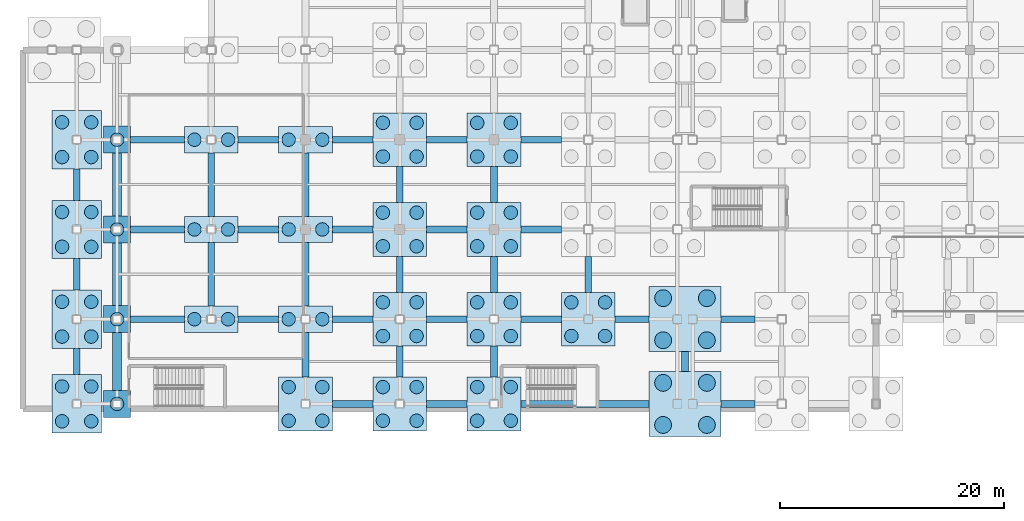
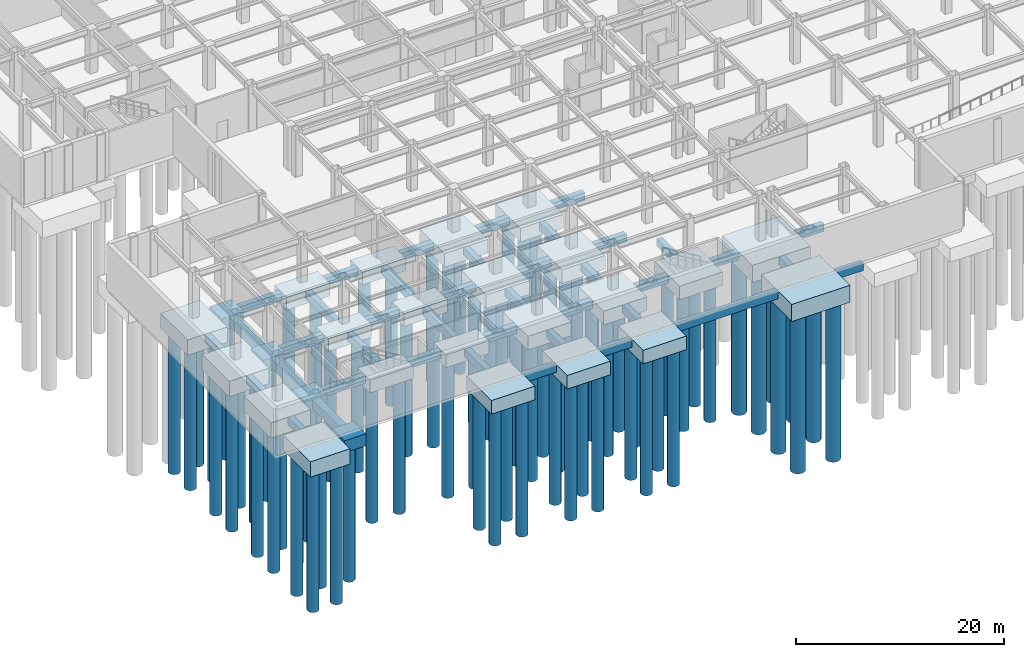
# One storey, part 1 of 55: 80 piles, 66 footings.
"""IFC4 building model written with IfcOpenShell, lengths in metres."""

from ifc_helpers import new_model, si_unit, direction, frame, origin, origin_2d, place, context, subcontext, project, spatial, rectangle, circle, extrude, material, layer, layer_set, material_profile, profile_set, type_object, element, save


model = new_model("IFC4")

# Units and contexts
model_context = context("Model", 3, precision=1e-05, world=origin(), true_north=direction((0.0, 1.0)))
body_context = subcontext(model_context, "Body", "Model", "MODEL_VIEW")
ifc_project = project(units=[si_unit("LENGTHUNIT", "METRE"), si_unit("AREAUNIT", "SQUARE_METRE"), si_unit("VOLUMEUNIT", "CUBIC_METRE"), si_unit("PLANEANGLEUNIT", "RADIAN"), si_unit("MASSUNIT", "GRAM", prefix="KILO")], contexts=[model_context])

# Site, building, storey
site_placement = place(None, origin())
site = spatial("IfcSite", under=ifc_project, at=site_placement, CompositionType="ELEMENT")
building_placement = place(site_placement, origin())
building = spatial("IfcBuilding", under=site, at=building_placement, Name="Kazehara Bluff Congress Hotel", CompositionType="ELEMENT")
storey_placement = place(building_placement, frame((0.0, 0.0, -5.39990234375)))
storey = spatial("IfcBuildingStorey", under=building, at=storey_placement, Name="B1", CompositionType="ELEMENT", Elevation=-5.39990234375)

# Footings
ifc_material_1 = material(Name="Concrete C36/45", Category="concrete")
ifc_material_profile_1 = material_profile(ifc_material_1, rectangle(XDim=0.60009765625, YDim=0.89990234375, at=origin_2d()))
ifc_profile_set_1 = profile_set([ifc_material_profile_1], Name="Concrete C36/45")
footing_type_1 = type_object("IfcFootingType", Name="TP-FB-01", PredefinedType="FOOTING_BEAM", material=ifc_profile_set_1)
footing_1_placement = place(storey_placement, frame((27.60009765625, 0.449951171875, -0.9501953125), z_axis=(1.0, 0.0, 0.0), x_axis=(0.0, 1.0, 0.0)))
element("IfcFooting", 1, at=footing_1_placement, inside=storey, type_object=footing_type_1, Name="Foundation tie beam FB-01 1", PredefinedType="FOOTING_BEAM", context=body_context, shape_type="SweptSolid", body=[
    extrude(rectangle(XDim=0.60009765625, YDim=0.89990234375, at=origin_2d()), origin(), (0.0, 0.0, 1.0), 3.599853515625),
])
footing_2_placement = place(storey_placement, frame((36.0, 0.449951171875, -0.9501953125), z_axis=(1.0, 0.0, 0.0), x_axis=(0.0, 1.0, 0.0)))
element("IfcFooting", 2, at=footing_2_placement, inside=storey, type_object=footing_type_1, Name="Foundation tie beam FB-01 2", PredefinedType="FOOTING_BEAM", context=body_context, shape_type="SweptSolid", body=[
    extrude(rectangle(XDim=0.60009765625, YDim=0.89990234375, at=origin_2d()), origin(), (0.0, 0.0, 1.0), 3.60009765625),
])
footing_3_placement = place(storey_placement, frame((44.39990234375, 0.449951171875, -0.9501953125), z_axis=(1.0, 0.0, 0.0), x_axis=(0.0, 1.0, 0.0)))
element("IfcFooting", 3, at=footing_3_placement, inside=storey, type_object=footing_type_1, Name="Foundation tie beam FB-01 3", PredefinedType="FOOTING_BEAM", context=body_context, shape_type="SweptSolid", body=[
    extrude(rectangle(XDim=0.60009765625, YDim=0.89990234375, at=origin_2d()), origin(), (0.0, 0.0, 1.0), 11.400146484375),
])
footing_4_placement = place(storey_placement, frame((62.25, 0.449951171875, -0.9501953125), z_axis=(1.0, 0.0, 0.0), x_axis=(0.0, 1.0, 0.0)))
element("IfcFooting", 4, at=footing_4_placement, inside=storey, type_object=footing_type_1, Name="Foundation tie beam FB-01 4", PredefinedType="FOOTING_BEAM", context=body_context, shape_type="SweptSolid", body=[
    extrude(rectangle(XDim=0.60009765625, YDim=0.89990234375, at=origin_2d()), origin(), (0.0, 0.0, 1.0), 3.0),
])
footing_5_placement = place(storey_placement, frame((9.60009765625, 8.0, -0.9501953125), z_axis=(1.0, 0.0, 0.0), x_axis=(0.0, 1.0, 0.0)))
element("IfcFooting", 5, at=footing_5_placement, inside=storey, type_object=footing_type_1, Name="Foundation tie beam FB-01 9", PredefinedType="FOOTING_BEAM", context=body_context, shape_type="SweptSolid", body=[
    extrude(rectangle(XDim=0.60009765625, YDim=0.89990234375, at=origin_2d()), origin(), (0.0, 0.0, 1.0), 4.7998046875),
])
footing_6_placement = place(storey_placement, frame((19.199951171875, 8.0, -0.9501953125), z_axis=(1.0, 0.0, 0.0), x_axis=(0.0, 1.0, 0.0)))
element("IfcFooting", 6, at=footing_6_placement, inside=storey, type_object=footing_type_1, Name="Foundation tie beam FB-01 10", PredefinedType="FOOTING_BEAM", context=body_context, shape_type="SweptSolid", body=[
    extrude(rectangle(XDim=0.60009765625, YDim=0.89990234375, at=origin_2d()), origin(), (0.0, 0.0, 1.0), 3.60009765625),
])
footing_7_placement = place(storey_placement, frame((27.60009765625, 8.0, -0.9501953125), z_axis=(1.0, 0.0, 0.0), x_axis=(0.0, 1.0, 0.0)))
element("IfcFooting", 7, at=footing_7_placement, inside=storey, type_object=footing_type_1, Name="Foundation tie beam FB-01 11", PredefinedType="FOOTING_BEAM", context=body_context, shape_type="SweptSolid", body=[
    extrude(rectangle(XDim=0.60009765625, YDim=0.89990234375, at=origin_2d()), origin(), (0.0, 0.0, 1.0), 3.599853515625),
])
for number, where, z_axis, x_axis, name in (
    (8, (36.0, 8.0, -0.9501953125), (1.0, 0.0, 0.0), (0.0, 1.0, 0.0), "Foundation tie beam FB-01 12"),
    (9, (44.39990234375, 8.0, -0.9501953125), (1.0, 0.0, 0.0), (0.0, 1.0, 0.0), "Foundation tie beam FB-01 13"),
):
    element("IfcFooting", number, at=place(storey_placement, frame(where, z_axis=z_axis, x_axis=x_axis)), inside=storey, type_object=footing_type_1, Name=name, PredefinedType="FOOTING_BEAM", context=body_context, shape_type="SweptSolid", body=[
        extrude(rectangle(XDim=0.60009765625, YDim=0.89990234375, at=origin_2d()), origin(), (0.0, 0.0, 1.0), 3.60009765625),
    ])
for number, where, z_axis, x_axis, name in (
    (10, (52.800048828125, 8.0, -0.9501953125), (1.0, 0.0, 0.0), (0.0, 1.0, 0.0), "Foundation tie beam FB-01 14"),
    (11, (62.25, 8.0, -0.9501953125), (1.0, 0.0, 0.0), (0.0, 1.0, 0.0), "Foundation tie beam FB-01 15"),
):
    element("IfcFooting", number, at=place(storey_placement, frame(where, z_axis=z_axis, x_axis=x_axis)), inside=storey, type_object=footing_type_1, Name=name, PredefinedType="FOOTING_BEAM", context=body_context, shape_type="SweptSolid", body=[
        extrude(rectangle(XDim=0.60009765625, YDim=0.89990234375, at=origin_2d()), origin(), (0.0, 0.0, 1.0), 3.0),
    ])
footing_8_placement = place(storey_placement, frame((9.60009765625, 16.0, -0.9501953125), z_axis=(1.0, 0.0, 0.0), x_axis=(0.0, 1.0, 0.0)))
element("IfcFooting", 12, at=footing_8_placement, inside=storey, type_object=footing_type_1, Name="Foundation tie beam FB-01 28", PredefinedType="FOOTING_BEAM", context=body_context, shape_type="SweptSolid", body=[
    extrude(rectangle(XDim=0.60009765625, YDim=0.89990234375, at=origin_2d()), origin(), (0.0, 0.0, 1.0), 4.7998046875),
])
footing_9_placement = place(storey_placement, frame((19.199951171875, 16.0, -0.9501953125), z_axis=(1.0, 0.0, 0.0), x_axis=(0.0, 1.0, 0.0)))
element("IfcFooting", 13, at=footing_9_placement, inside=storey, type_object=footing_type_1, Name="Foundation tie beam FB-01 29", PredefinedType="FOOTING_BEAM", context=body_context, shape_type="SweptSolid", body=[
    extrude(rectangle(XDim=0.60009765625, YDim=0.89990234375, at=origin_2d()), origin(), (0.0, 0.0, 1.0), 3.60009765625),
])
footing_10_placement = place(storey_placement, frame((27.60009765625, 16.0, -0.9501953125), z_axis=(1.0, 0.0, 0.0), x_axis=(0.0, 1.0, 0.0)))
element("IfcFooting", 14, at=footing_10_placement, inside=storey, type_object=footing_type_1, Name="Foundation tie beam FB-01 30", PredefinedType="FOOTING_BEAM", context=body_context, shape_type="SweptSolid", body=[
    extrude(rectangle(XDim=0.60009765625, YDim=0.89990234375, at=origin_2d()), origin(), (0.0, 0.0, 1.0), 3.599853515625),
])
for number, where, z_axis, x_axis, name in (
    (15, (36.0, 16.0, -0.9501953125), (1.0, 0.0, 0.0), (0.0, 1.0, 0.0), "Foundation tie beam FB-01 31"),
    (16, (44.39990234375, 16.0, -0.9501953125), (1.0, 0.0, 0.0), (0.0, 1.0, 0.0), "Foundation tie beam FB-01 32"),
):
    element("IfcFooting", number, at=place(storey_placement, frame(where, z_axis=z_axis, x_axis=x_axis)), inside=storey, type_object=footing_type_1, Name=name, PredefinedType="FOOTING_BEAM", context=body_context, shape_type="SweptSolid", body=[
        extrude(rectangle(XDim=0.60009765625, YDim=0.89990234375, at=origin_2d()), origin(), (0.0, 0.0, 1.0), 3.60009765625),
    ])
footing_11_placement = place(storey_placement, frame((9.60009765625, 24.0, -0.9501953125), z_axis=(1.0, 0.0, 0.0), x_axis=(0.0, 1.0, 0.0)))
element("IfcFooting", 17, at=footing_11_placement, inside=storey, type_object=footing_type_1, Name="Foundation tie beam FB-01 45", PredefinedType="FOOTING_BEAM", context=body_context, shape_type="SweptSolid", body=[
    extrude(rectangle(XDim=0.60009765625, YDim=0.89990234375, at=origin_2d()), origin(), (0.0, 0.0, 1.0), 4.7998046875),
])
footing_12_placement = place(storey_placement, frame((19.199951171875, 24.0, -0.9501953125), z_axis=(1.0, 0.0, 0.0), x_axis=(0.0, 1.0, 0.0)))
element("IfcFooting", 18, at=footing_12_placement, inside=storey, type_object=footing_type_1, Name="Foundation tie beam FB-01 46", PredefinedType="FOOTING_BEAM", context=body_context, shape_type="SweptSolid", body=[
    extrude(rectangle(XDim=0.60009765625, YDim=0.89990234375, at=origin_2d()), origin(), (0.0, 0.0, 1.0), 3.60009765625),
])
footing_13_placement = place(storey_placement, frame((27.60009765625, 24.0, -0.9501953125), z_axis=(1.0, 0.0, 0.0), x_axis=(0.0, 1.0, 0.0)))
element("IfcFooting", 19, at=footing_13_placement, inside=storey, type_object=footing_type_1, Name="Foundation tie beam FB-01 47", PredefinedType="FOOTING_BEAM", context=body_context, shape_type="SweptSolid", body=[
    extrude(rectangle(XDim=0.60009765625, YDim=0.89990234375, at=origin_2d()), origin(), (0.0, 0.0, 1.0), 3.599853515625),
])
for number, where, z_axis, x_axis, name in (
    (20, (36.0, 24.0, -0.9501953125), (1.0, 0.0, 0.0), (0.0, 1.0, 0.0), "Foundation tie beam FB-01 48"),
    (21, (44.39990234375, 24.0, -0.9501953125), (1.0, 0.0, 0.0), (0.0, 1.0, 0.0), "Foundation tie beam FB-01 49"),
):
    element("IfcFooting", number, at=place(storey_placement, frame(where, z_axis=z_axis, x_axis=x_axis)), inside=storey, type_object=footing_type_1, Name=name, PredefinedType="FOOTING_BEAM", context=body_context, shape_type="SweptSolid", body=[
        extrude(rectangle(XDim=0.60009765625, YDim=0.89990234375, at=origin_2d()), origin(), (0.0, 0.0, 1.0), 3.60009765625),
    ])
footing_14_placement = place(storey_placement, frame((4.800048828125, 3.050048828125, -0.9501953125), z_axis=(0.0, 1.0, 0.0), x_axis=(-1.0, 0.0, 0.0)))
element("IfcFooting", 22, at=footing_14_placement, inside=storey, type_object=footing_type_1, Name="Foundation tie beam FB-01 249", PredefinedType="FOOTING_BEAM", context=body_context, shape_type="SweptSolid", body=[
    extrude(rectangle(XDim=0.60009765625, YDim=0.89990234375, at=origin_2d()), origin(), (0.0, 0.0, 1.0), 2.349853515625),
])
for number, where, z_axis, x_axis, name in (
    (23, (4.800048828125, 10.60009765625, -0.9501953125), (0.0, 1.0, 0.0), (-1.0, 0.0, 0.0), "Foundation tie beam FB-01 250"),
    (24, (4.800048828125, 18.60009765625, -0.9501953125), (0.0, 1.0, 0.0), (-1.0, 0.0, 0.0), "Foundation tie beam FB-01 251"),
):
    element("IfcFooting", number, at=place(storey_placement, frame(where, z_axis=z_axis, x_axis=x_axis)), inside=storey, type_object=footing_type_1, Name=name, PredefinedType="FOOTING_BEAM", context=body_context, shape_type="SweptSolid", body=[
        extrude(rectangle(XDim=0.60009765625, YDim=0.89990234375, at=origin_2d()), origin(), (0.0, 0.0, 1.0), 2.7998046875),
    ])
for number, where, z_axis, x_axis, name in (
    (25, (16.800048828125, 9.175048828125, -0.9501953125), (0.0, 1.0, 0.0), (-1.0, 0.0, 0.0), "Foundation tie beam FB-01 272"),
    (26, (16.800048828125, 17.175048828125, -0.9501953125), (0.0, 1.0, 0.0), (-1.0, 0.0, 0.0), "Foundation tie beam FB-01 273"),
):
    element("IfcFooting", number, at=place(storey_placement, frame(where, z_axis=z_axis, x_axis=x_axis)), inside=storey, type_object=footing_type_1, Name=name, PredefinedType="FOOTING_BEAM", context=body_context, shape_type="SweptSolid", body=[
        extrude(rectangle(XDim=0.60009765625, YDim=0.89990234375, at=origin_2d()), origin(), (0.0, 0.0, 1.0), 5.64990234375),
    ])
footing_15_placement = place(storey_placement, frame((25.199951171875, 2.85009765625, -0.9501953125), z_axis=(0.0, 1.0, 0.0), x_axis=(-1.0, 0.0, 0.0)))
element("IfcFooting", 27, at=footing_15_placement, inside=storey, type_object=footing_type_1, Name="Foundation tie beam FB-01 280", PredefinedType="FOOTING_BEAM", context=body_context, shape_type="SweptSolid", body=[
    extrude(rectangle(XDim=0.60009765625, YDim=0.89990234375, at=origin_2d()), origin(), (0.0, 0.0, 1.0), 3.974853515625),
])
for number, where, z_axis, x_axis, name in (
    (28, (25.199951171875, 9.175048828125, -0.9501953125), (0.0, 1.0, 0.0), (-1.0, 0.0, 0.0), "Foundation tie beam FB-01 281"),
    (29, (25.199951171875, 17.175048828125, -0.9501953125), (0.0, 1.0, 0.0), (-1.0, 0.0, 0.0), "Foundation tie beam FB-01 282"),
):
    element("IfcFooting", number, at=place(storey_placement, frame(where, z_axis=z_axis, x_axis=x_axis)), inside=storey, type_object=footing_type_1, Name=name, PredefinedType="FOOTING_BEAM", context=body_context, shape_type="SweptSolid", body=[
        extrude(rectangle(XDim=0.60009765625, YDim=0.89990234375, at=origin_2d()), origin(), (0.0, 0.0, 1.0), 5.64990234375),
    ])
footing_16_placement = place(storey_placement, frame((33.60009765625, 2.85009765625, -0.9501953125), z_axis=(0.0, 1.0, 0.0), x_axis=(-1.0, 0.0, 0.0)))
element("IfcFooting", 30, at=footing_16_placement, inside=storey, type_object=footing_type_1, Name="Foundation tie beam FB-01 294", PredefinedType="FOOTING_BEAM", context=body_context, shape_type="SweptSolid", body=[
    extrude(rectangle(XDim=0.60009765625, YDim=0.89990234375, at=origin_2d()), origin(), (0.0, 0.0, 1.0), 2.75),
])
for number, where, z_axis, x_axis, name in (
    (31, (33.60009765625, 10.39990234375, -0.9501953125), (0.0, 1.0, 0.0), (-1.0, 0.0, 0.0), "Foundation tie beam FB-01 295"),
    (32, (33.60009765625, 18.39990234375, -0.9501953125), (0.0, 1.0, 0.0), (-1.0, 0.0, 0.0), "Foundation tie beam FB-01 296"),
):
    element("IfcFooting", number, at=place(storey_placement, frame(where, z_axis=z_axis, x_axis=x_axis)), inside=storey, type_object=footing_type_1, Name=name, PredefinedType="FOOTING_BEAM", context=body_context, shape_type="SweptSolid", body=[
        extrude(rectangle(XDim=0.60009765625, YDim=0.89990234375, at=origin_2d()), origin(), (0.0, 0.0, 1.0), 3.2001953125),
    ])
footing_17_placement = place(storey_placement, frame((42.0, 2.85009765625, -0.9501953125), z_axis=(0.0, 1.0, 0.0), x_axis=(-1.0, 0.0, 0.0)))
element("IfcFooting", 33, at=footing_17_placement, inside=storey, type_object=footing_type_1, Name="Foundation tie beam FB-01 307", PredefinedType="FOOTING_BEAM", context=body_context, shape_type="SweptSolid", body=[
    extrude(rectangle(XDim=0.60009765625, YDim=0.89990234375, at=origin_2d()), origin(), (0.0, 0.0, 1.0), 2.75),
])
for number, where, z_axis, x_axis, name in (
    (34, (42.0, 10.39990234375, -0.9501953125), (0.0, 1.0, 0.0), (-1.0, 0.0, 0.0), "Foundation tie beam FB-01 308"),
    (35, (42.0, 18.39990234375, -0.9501953125), (0.0, 1.0, 0.0), (-1.0, 0.0, 0.0), "Foundation tie beam FB-01 309"),
    (36, (50.39990234375, 10.39990234375, -0.9501953125), (0.0, 1.0, 0.0), (-1.0, 0.0, 0.0), "Foundation tie beam FB-01 319"),
):
    element("IfcFooting", number, at=place(storey_placement, frame(where, z_axis=z_axis, x_axis=x_axis)), inside=storey, type_object=footing_type_1, Name=name, PredefinedType="FOOTING_BEAM", context=body_context, shape_type="SweptSolid", body=[
        extrude(rectangle(XDim=0.60009765625, YDim=0.89990234375, at=origin_2d()), origin(), (0.0, 0.0, 1.0), 3.2001953125),
    ])
footing_18_placement = place(storey_placement, frame((59.02490234375, 3.35009765625, -0.9501953125), z_axis=(0.0, 1.0, 0.0), x_axis=(-1.0, 0.0, 0.0)))
element("IfcFooting", 37, at=footing_18_placement, inside=storey, type_object=footing_type_1, Name="Foundation tie beam FB-01 329", PredefinedType="FOOTING_BEAM", context=body_context, shape_type="SweptSolid", body=[
    extrude(rectangle(XDim=0.60009765625, YDim=0.89990234375, at=origin_2d()), origin(), (0.0, 0.0, 1.0), 1.75),
])
ifc_material_2 = material(Name="Concrete C36/45", Category="concrete")
ifc_material_profile_2 = material_profile(ifc_material_2, rectangle(XDim=0.800048828125, YDim=1.10009765625, at=origin_2d()))
ifc_profile_set_2 = profile_set([ifc_material_profile_2], Name="Concrete C36/45")
footing_type_2 = type_object("IfcFootingType", Name="TP-FB-03", PredefinedType="FOOTING_BEAM", material=ifc_profile_set_2)
footing_19_placement = place(storey_placement, frame((8.39990234375, 1.64990234375, -1.050048828125), z_axis=(0.0, 1.0, 0.0), x_axis=(-1.0, 0.0, 0.0)))
element("IfcFooting", 38, at=footing_19_placement, inside=storey, type_object=footing_type_2, Name="Foundation tie beam FB-03 259", PredefinedType="FOOTING_BEAM", context=body_context, shape_type="SweptSolid", body=[
    extrude(rectangle(XDim=0.800048828125, YDim=1.10009765625, at=origin_2d()), origin(), (0.0, 0.0, 1.0), 5.150146484375),
])
for number, where, z_axis, x_axis, name in (
    (39, (8.39990234375, 9.199951171875, -1.050048828125), (0.0, 1.0, 0.0), (-1.0, 0.0, 0.0), "Foundation tie beam FB-03 260"),
    (40, (8.39990234375, 17.199951171875, -1.050048828125), (0.0, 1.0, 0.0), (-1.0, 0.0, 0.0), "Foundation tie beam FB-03 261"),
):
    element("IfcFooting", number, at=place(storey_placement, frame(where, z_axis=z_axis, x_axis=x_axis)), inside=storey, type_object=footing_type_2, Name=name, PredefinedType="FOOTING_BEAM", context=body_context, shape_type="SweptSolid", body=[
        extrude(rectangle(XDim=0.800048828125, YDim=1.10009765625, at=origin_2d()), origin(), (0.0, 0.0, 1.0), 5.60009765625),
    ])
ifc_material_3 = material(Name="Concrete C36/45", Category="concrete")
ifc_layer_1 = layer(ifc_material_3, 1.39990234375)
ifc_layer_set_1 = layer_set([ifc_layer_1], Name="Concrete C36/45")
footing_type_3 = type_object("IfcFootingType", Name="TP-PC-01", PredefinedType="PILE_CAP", material=ifc_layer_set_1)
for number, where, z_axis, x_axis, name in (
    (41, (8.39990234375, 0.449951171875, -1.900146484375), (0.0, 0.0, 1.0), (1.0, 0.0, 0.0), "Pile cap PC-01 16"),
    (42, (8.39990234375, 8.0, -1.900146484375), (0.0, 0.0, 1.0), (1.0, 0.0, 0.0), "Pile cap PC-01 17"),
    (43, (8.39990234375, 16.0, -1.900146484375), (0.0, 0.0, 1.0), (1.0, 0.0, 0.0), "Pile cap PC-01 18"),
    (44, (8.39990234375, 24.0, -1.900146484375), (0.0, 0.0, 1.0), (1.0, 0.0, 0.0), "Pile cap PC-01 19"),
):
    element("IfcFooting", number, at=place(storey_placement, frame(where, z_axis=z_axis, x_axis=x_axis)), inside=storey, type_object=footing_type_3, Name=name, PredefinedType="PILE_CAP", context=body_context, shape_type="SweptSolid", body=[
        extrude(rectangle(XDim=2.39990234375, YDim=2.39990234375, at=origin_2d()), origin(), (0.0, 0.0, 1.0), 1.39990234375),
    ])
ifc_material_4 = material(Name="Concrete C36/45", Category="concrete")
ifc_layer_2 = layer(ifc_material_4, 1.5)
ifc_layer_set_2 = layer_set([ifc_layer_2], Name="Concrete C36/45")
footing_type_4 = type_object("IfcFootingType", Name="TP-PC-02", PredefinedType="PILE_CAP", material=ifc_layer_set_2)
for number, where, z_axis, x_axis, name in (
    (45, (16.800048828125, 8.0, -2.0), (0.0, 0.0, 1.0), (1.0, 0.0, 0.0), "Pile cap PC-02 31"),
    (46, (16.800048828125, 16.0, -2.0), (0.0, 0.0, 1.0), (1.0, 0.0, 0.0), "Pile cap PC-02 32"),
    (47, (16.800048828125, 24.0, -2.0), (0.0, 0.0, 1.0), (1.0, 0.0, 0.0), "Pile cap PC-02 33"),
    (48, (25.199951171875, 8.0, -2.0), (0.0, 0.0, 1.0), (1.0, 0.0, 0.0), "Pile cap PC-02 43"),
    (49, (25.199951171875, 16.0, -2.0), (0.0, 0.0, 1.0), (1.0, 0.0, 0.0), "Pile cap PC-02 44"),
    (50, (25.199951171875, 24.0, -2.0), (0.0, 0.0, 1.0), (1.0, 0.0, 0.0), "Pile cap PC-02 45"),
):
    element("IfcFooting", number, at=place(storey_placement, frame(where, z_axis=z_axis, x_axis=x_axis)), inside=storey, type_object=footing_type_4, Name=name, PredefinedType="PILE_CAP", context=body_context, shape_type="SweptSolid", body=[
        extrude(rectangle(XDim=4.800048828125, YDim=2.35009765625, at=origin_2d()), origin(), (0.0, 0.0, 1.0), 1.5),
    ])
ifc_material_5 = material(Name="Concrete C36/45", Category="concrete")
ifc_layer_3 = layer(ifc_material_5, 1.60009765625)
ifc_layer_set_3 = layer_set([ifc_layer_3], Name="Concrete C36/45")
footing_type_5 = type_object("IfcFootingType", Name="TP-PC-04", PredefinedType="PILE_CAP", material=ifc_layer_set_3)
for number, where, z_axis, x_axis, name in (
    (51, (25.199951171875, 0.449951171875, -2.10009765625), (0.0, 0.0, 1.0), (1.0, 0.0, 0.0), "Pile cap PC-04 42"),
    (52, (33.60009765625, 0.449951171875, -2.10009765625), (0.0, 0.0, 1.0), (1.0, 0.0, 0.0), "Pile cap PC-04 57"),
    (53, (33.60009765625, 8.0, -2.10009765625), (0.0, 0.0, 1.0), (1.0, 0.0, 0.0), "Pile cap PC-04 58"),
    (54, (33.60009765625, 16.0, -2.10009765625), (0.0, 0.0, 1.0), (1.0, 0.0, 0.0), "Pile cap PC-04 59"),
    (55, (33.60009765625, 24.0, -2.10009765625), (0.0, 0.0, 1.0), (1.0, 0.0, 0.0), "Pile cap PC-04 60"),
    (56, (42.0, 0.449951171875, -2.10009765625), (0.0, 0.0, 1.0), (1.0, 0.0, 0.0), "Pile cap PC-04 72"),
    (57, (42.0, 8.0, -2.10009765625), (0.0, 0.0, 1.0), (1.0, 0.0, 0.0), "Pile cap PC-04 73"),
    (58, (42.0, 16.0, -2.10009765625), (0.0, 0.0, 1.0), (1.0, 0.0, 0.0), "Pile cap PC-04 74"),
    (59, (42.0, 24.0, -2.10009765625), (0.0, 0.0, 1.0), (1.0, 0.0, 0.0), "Pile cap PC-04 75"),
    (60, (50.39990234375, 8.0, -2.10009765625), (0.0, 0.0, 1.0), (1.0, 0.0, 0.0), "Pile cap PC-04 87"),
):
    element("IfcFooting", number, at=place(storey_placement, frame(where, z_axis=z_axis, x_axis=x_axis)), inside=storey, type_object=footing_type_5, Name=name, PredefinedType="PILE_CAP", context=body_context, shape_type="SweptSolid", body=[
        extrude(rectangle(XDim=4.800048828125, YDim=4.800048828125, at=origin_2d()), origin(), (0.0, 0.0, 1.0), 1.60009765625),
    ])
ifc_material_6 = material(Name="Concrete C36/45", Category="concrete")
ifc_layer_4 = layer(ifc_material_6, 1.800048828125)
ifc_layer_set_4 = layer_set([ifc_layer_4], Name="Concrete C36/45")
footing_type_6 = type_object("IfcFootingType", Name="TP-PC-06", PredefinedType="PILE_CAP", material=ifc_layer_set_4)
for number, where, z_axis, x_axis, name in (
    (61, (4.800048828125, 0.449951171875, -2.30029296875), (0.0, 0.0, 1.0), (1.0, 0.0, 0.0), "Pile cap PC-06 3"),
    (62, (4.800048828125, 8.0, -2.30029296875), (0.0, 0.0, 1.0), (1.0, 0.0, 0.0), "Pile cap PC-06 4"),
    (63, (4.800048828125, 16.0, -2.30029296875), (0.0, 0.0, 1.0), (1.0, 0.0, 0.0), "Pile cap PC-06 5"),
    (64, (4.800048828125, 24.0, -2.30029296875), (0.0, 0.0, 1.0), (1.0, 0.0, 0.0), "Pile cap PC-06 6"),
):
    element("IfcFooting", number, at=place(storey_placement, frame(where, z_axis=z_axis, x_axis=x_axis)), inside=storey, type_object=footing_type_6, Name=name, PredefinedType="PILE_CAP", context=body_context, shape_type="SweptSolid", body=[
        extrude(rectangle(XDim=4.39990234375, YDim=5.199951171875, at=origin_2d()), origin(), (0.0, 0.0, 1.0), 1.800048828125),
    ])
ifc_material_7 = material(Name="Concrete C36/45", Category="concrete")
ifc_layer_5 = layer(ifc_material_7, 2.0)
ifc_layer_set_5 = layer_set([ifc_layer_5], Name="Concrete C36/45")
footing_type_7 = type_object("IfcFootingType", Name="TP-PC-11", PredefinedType="PILE_CAP", material=ifc_layer_set_5)
for number, where, z_axis, x_axis, name in (
    (65, (59.02490234375, 0.449951171875, -2.5), (0.0, 0.0, 1.0), (1.0, 0.0, 0.0), "Pile cap PC-11 99"),
    (66, (59.02490234375, 8.0, -2.5), (0.0, 0.0, 1.0), (1.0, 0.0, 0.0), "Pile cap PC-11 100"),
):
    element("IfcFooting", number, at=place(storey_placement, frame(where, z_axis=z_axis, x_axis=x_axis)), inside=storey, type_object=footing_type_7, Name=name, PredefinedType="PILE_CAP", context=body_context, shape_type="SweptSolid", body=[
        extrude(rectangle(XDim=6.449951171875, YDim=5.800048828125, at=origin_2d()), origin(), (0.0, 0.0, 1.0), 2.0),
    ])

# Piles
ifc_material_8 = material(Name="Concrete C36/45", Category="concrete")
ifc_material_profile_3 = material_profile(ifc_material_8, circle(Radius=0.60009765625, at=origin_2d()))
ifc_profile_set_3 = profile_set([ifc_material_profile_3], Name="Concrete C36/45")
pile_type_1 = type_object("IfcPileType", Name="TP-PILE-1200", PredefinedType="BORED", material=ifc_profile_set_3)
for number, where, z_axis, x_axis, name in (
    (67, (3.5, -1.10009765625, -2.2001953125), (0.0, 0.0, -1.0), (1.0, 0.0, 0.0), "Bored pile FND-PC-003-P1"),
    (68, (6.10009765625, -1.10009765625, -2.2001953125), (0.0, 0.0, -1.0), (1.0, 0.0, 0.0), "Bored pile FND-PC-003-P2"),
    (69, (3.5, 2.0, -2.2001953125), (0.0, 0.0, -1.0), (1.0, 0.0, 0.0), "Bored pile FND-PC-003-P3"),
    (70, (6.10009765625, 2.0, -2.2001953125), (0.0, 0.0, -1.0), (1.0, 0.0, 0.0), "Bored pile FND-PC-003-P4"),
    (71, (3.5, 6.449951171875, -2.2001953125), (0.0, 0.0, -1.0), (1.0, 0.0, 0.0), "Bored pile FND-PC-004-P1"),
    (72, (6.10009765625, 6.449951171875, -2.2001953125), (0.0, 0.0, -1.0), (1.0, 0.0, 0.0), "Bored pile FND-PC-004-P2"),
    (73, (3.5, 9.550048828125, -2.2001953125), (0.0, 0.0, -1.0), (1.0, 0.0, 0.0), "Bored pile FND-PC-004-P3"),
    (74, (6.10009765625, 9.550048828125, -2.2001953125), (0.0, 0.0, -1.0), (1.0, 0.0, 0.0), "Bored pile FND-PC-004-P4"),
    (75, (3.5, 14.449951171875, -2.2001953125), (0.0, 0.0, -1.0), (1.0, 0.0, 0.0), "Bored pile FND-PC-005-P1"),
    (76, (6.10009765625, 14.449951171875, -2.2001953125), (0.0, 0.0, -1.0), (1.0, 0.0, 0.0), "Bored pile FND-PC-005-P2"),
    (77, (3.5, 17.550048828125, -2.2001953125), (0.0, 0.0, -1.0), (1.0, 0.0, 0.0), "Bored pile FND-PC-005-P3"),
    (78, (6.10009765625, 17.550048828125, -2.2001953125), (0.0, 0.0, -1.0), (1.0, 0.0, 0.0), "Bored pile FND-PC-005-P4"),
    (79, (3.5, 22.449951171875, -2.2001953125), (0.0, 0.0, -1.0), (1.0, 0.0, 0.0), "Bored pile FND-PC-006-P1"),
    (80, (6.10009765625, 22.449951171875, -2.2001953125), (0.0, 0.0, -1.0), (1.0, 0.0, 0.0), "Bored pile FND-PC-006-P2"),
    (81, (3.5, 25.550048828125, -2.2001953125), (0.0, 0.0, -1.0), (1.0, 0.0, 0.0), "Bored pile FND-PC-006-P3"),
    (82, (6.10009765625, 25.550048828125, -2.2001953125), (0.0, 0.0, -1.0), (1.0, 0.0, 0.0), "Bored pile FND-PC-006-P4"),
):
    element("IfcPile", number, at=place(storey_placement, frame(where, z_axis=z_axis, x_axis=x_axis)), inside=storey, type_object=pile_type_1, Name=name, PredefinedType="BORED", context=body_context, shape_type="SweptSolid", body=[
        extrude(circle(Radius=0.60009765625, at=origin_2d()), origin(), (0.0, 0.0, 1.0), 16.5),
    ])
for number, where, z_axis, x_axis, name in (
    (83, (8.39990234375, 0.449951171875, -1.800048828125), (0.0, 0.0, -1.0), (1.0, 0.0, 0.0), "Bored pile FND-PC-016-P1"),
    (84, (8.39990234375, 8.0, -1.800048828125), (0.0, 0.0, -1.0), (1.0, 0.0, 0.0), "Bored pile FND-PC-017-P1"),
    (85, (8.39990234375, 16.0, -1.800048828125), (0.0, 0.0, -1.0), (1.0, 0.0, 0.0), "Bored pile FND-PC-018-P1"),
    (86, (8.39990234375, 24.0, -1.800048828125), (0.0, 0.0, -1.0), (1.0, 0.0, 0.0), "Bored pile FND-PC-019-P1"),
    (87, (15.300048828125, 8.0, -1.900146484375), (0.0, 0.0, -1.0), (1.0, 0.0, 0.0), "Bored pile FND-PC-031-P1"),
    (88, (18.300048828125, 8.0, -1.900146484375), (0.0, 0.0, -1.0), (1.0, 0.0, 0.0), "Bored pile FND-PC-031-P2"),
    (89, (15.300048828125, 16.0, -1.900146484375), (0.0, 0.0, -1.0), (1.0, 0.0, 0.0), "Bored pile FND-PC-032-P1"),
    (90, (18.300048828125, 16.0, -1.900146484375), (0.0, 0.0, -1.0), (1.0, 0.0, 0.0), "Bored pile FND-PC-032-P2"),
    (91, (15.300048828125, 24.0, -1.900146484375), (0.0, 0.0, -1.0), (1.0, 0.0, 0.0), "Bored pile FND-PC-033-P1"),
    (92, (18.300048828125, 24.0, -1.900146484375), (0.0, 0.0, -1.0), (1.0, 0.0, 0.0), "Bored pile FND-PC-033-P2"),
    (93, (23.699951171875, -1.050048828125, -2.0), (0.0, 0.0, -1.0), (1.0, 0.0, 0.0), "Bored pile FND-PC-042-P1"),
    (94, (26.699951171875, -1.050048828125, -2.0), (0.0, 0.0, -1.0), (1.0, 0.0, 0.0), "Bored pile FND-PC-042-P2"),
    (95, (23.699951171875, 1.949951171875, -2.0), (0.0, 0.0, -1.0), (1.0, 0.0, 0.0), "Bored pile FND-PC-042-P3"),
    (96, (26.699951171875, 1.949951171875, -2.0), (0.0, 0.0, -1.0), (1.0, 0.0, 0.0), "Bored pile FND-PC-042-P4"),
    (97, (23.699951171875, 8.0, -1.900146484375), (0.0, 0.0, -1.0), (1.0, 0.0, 0.0), "Bored pile FND-PC-043-P1"),
    (98, (26.699951171875, 8.0, -1.900146484375), (0.0, 0.0, -1.0), (1.0, 0.0, 0.0), "Bored pile FND-PC-043-P2"),
    (99, (23.699951171875, 16.0, -1.900146484375), (0.0, 0.0, -1.0), (1.0, 0.0, 0.0), "Bored pile FND-PC-044-P1"),
    (100, (26.699951171875, 16.0, -1.900146484375), (0.0, 0.0, -1.0), (1.0, 0.0, 0.0), "Bored pile FND-PC-044-P2"),
    (101, (23.699951171875, 24.0, -1.900146484375), (0.0, 0.0, -1.0), (1.0, 0.0, 0.0), "Bored pile FND-PC-045-P1"),
    (102, (26.699951171875, 24.0, -1.900146484375), (0.0, 0.0, -1.0), (1.0, 0.0, 0.0), "Bored pile FND-PC-045-P2"),
    (103, (32.10009765625, -1.050048828125, -2.0), (0.0, 0.0, -1.0), (1.0, 0.0, 0.0), "Bored pile FND-PC-057-P1"),
    (104, (35.10009765625, -1.050048828125, -2.0), (0.0, 0.0, -1.0), (1.0, 0.0, 0.0), "Bored pile FND-PC-057-P2"),
    (105, (32.10009765625, 1.949951171875, -2.0), (0.0, 0.0, -1.0), (1.0, 0.0, 0.0), "Bored pile FND-PC-057-P3"),
    (106, (35.10009765625, 1.949951171875, -2.0), (0.0, 0.0, -1.0), (1.0, 0.0, 0.0), "Bored pile FND-PC-057-P4"),
    (107, (32.10009765625, 6.5, -2.0), (0.0, 0.0, -1.0), (1.0, 0.0, 0.0), "Bored pile FND-PC-058-P1"),
    (108, (35.10009765625, 6.5, -2.0), (0.0, 0.0, -1.0), (1.0, 0.0, 0.0), "Bored pile FND-PC-058-P2"),
    (109, (32.10009765625, 9.5, -2.0), (0.0, 0.0, -1.0), (1.0, 0.0, 0.0), "Bored pile FND-PC-058-P3"),
    (110, (35.10009765625, 9.5, -2.0), (0.0, 0.0, -1.0), (1.0, 0.0, 0.0), "Bored pile FND-PC-058-P4"),
    (111, (32.10009765625, 14.5, -2.0), (0.0, 0.0, -1.0), (1.0, 0.0, 0.0), "Bored pile FND-PC-059-P1"),
    (112, (35.10009765625, 14.5, -2.0), (0.0, 0.0, -1.0), (1.0, 0.0, 0.0), "Bored pile FND-PC-059-P2"),
    (113, (32.10009765625, 17.5, -2.0), (0.0, 0.0, -1.0), (1.0, 0.0, 0.0), "Bored pile FND-PC-059-P3"),
    (114, (35.10009765625, 17.5, -2.0), (0.0, 0.0, -1.0), (1.0, 0.0, 0.0), "Bored pile FND-PC-059-P4"),
    (115, (32.10009765625, 22.5, -2.0), (0.0, 0.0, -1.0), (1.0, 0.0, 0.0), "Bored pile FND-PC-060-P1"),
    (116, (35.10009765625, 22.5, -2.0), (0.0, 0.0, -1.0), (1.0, 0.0, 0.0), "Bored pile FND-PC-060-P2"),
    (117, (32.10009765625, 25.5, -2.0), (0.0, 0.0, -1.0), (1.0, 0.0, 0.0), "Bored pile FND-PC-060-P3"),
    (118, (35.10009765625, 25.5, -2.0), (0.0, 0.0, -1.0), (1.0, 0.0, 0.0), "Bored pile FND-PC-060-P4"),
    (119, (40.5, -1.050048828125, -2.0), (0.0, 0.0, -1.0), (1.0, 0.0, 0.0), "Bored pile FND-PC-072-P1"),
    (120, (43.5, -1.050048828125, -2.0), (0.0, 0.0, -1.0), (1.0, 0.0, 0.0), "Bored pile FND-PC-072-P2"),
    (121, (40.5, 1.949951171875, -2.0), (0.0, 0.0, -1.0), (1.0, 0.0, 0.0), "Bored pile FND-PC-072-P3"),
    (122, (43.5, 1.949951171875, -2.0), (0.0, 0.0, -1.0), (1.0, 0.0, 0.0), "Bored pile FND-PC-072-P4"),
    (123, (40.5, 6.5, -2.0), (0.0, 0.0, -1.0), (1.0, 0.0, 0.0), "Bored pile FND-PC-073-P1"),
    (124, (43.5, 6.5, -2.0), (0.0, 0.0, -1.0), (1.0, 0.0, 0.0), "Bored pile FND-PC-073-P2"),
    (125, (40.5, 9.5, -2.0), (0.0, 0.0, -1.0), (1.0, 0.0, 0.0), "Bored pile FND-PC-073-P3"),
    (126, (43.5, 9.5, -2.0), (0.0, 0.0, -1.0), (1.0, 0.0, 0.0), "Bored pile FND-PC-073-P4"),
    (127, (40.5, 14.5, -2.0), (0.0, 0.0, -1.0), (1.0, 0.0, 0.0), "Bored pile FND-PC-074-P1"),
    (128, (43.5, 14.5, -2.0), (0.0, 0.0, -1.0), (1.0, 0.0, 0.0), "Bored pile FND-PC-074-P2"),
    (129, (40.5, 17.5, -2.0), (0.0, 0.0, -1.0), (1.0, 0.0, 0.0), "Bored pile FND-PC-074-P3"),
    (130, (43.5, 17.5, -2.0), (0.0, 0.0, -1.0), (1.0, 0.0, 0.0), "Bored pile FND-PC-074-P4"),
    (131, (40.5, 22.5, -2.0), (0.0, 0.0, -1.0), (1.0, 0.0, 0.0), "Bored pile FND-PC-075-P1"),
    (132, (43.5, 22.5, -2.0), (0.0, 0.0, -1.0), (1.0, 0.0, 0.0), "Bored pile FND-PC-075-P2"),
    (133, (40.5, 25.5, -2.0), (0.0, 0.0, -1.0), (1.0, 0.0, 0.0), "Bored pile FND-PC-075-P3"),
    (134, (43.5, 25.5, -2.0), (0.0, 0.0, -1.0), (1.0, 0.0, 0.0), "Bored pile FND-PC-075-P4"),
    (135, (48.89990234375, 6.5, -2.0), (0.0, 0.0, -1.0), (1.0, 0.0, 0.0), "Bored pile FND-PC-087-P1"),
    (136, (51.89990234375, 6.5, -2.0), (0.0, 0.0, -1.0), (1.0, 0.0, 0.0), "Bored pile FND-PC-087-P2"),
    (137, (48.89990234375, 9.5, -2.0), (0.0, 0.0, -1.0), (1.0, 0.0, 0.0), "Bored pile FND-PC-087-P3"),
    (138, (51.89990234375, 9.5, -2.0), (0.0, 0.0, -1.0), (1.0, 0.0, 0.0), "Bored pile FND-PC-087-P4"),
):
    element("IfcPile", number, at=place(storey_placement, frame(where, z_axis=z_axis, x_axis=x_axis)), inside=storey, type_object=pile_type_1, Name=name, PredefinedType="BORED", context=body_context, shape_type="SweptSolid", body=[
        extrude(circle(Radius=0.60009765625, at=origin_2d()), origin(), (0.0, 0.0, 1.0), 16.0),
    ])
ifc_material_9 = material(Name="Concrete C36/45", Category="concrete")
ifc_material_profile_4 = material_profile(ifc_material_9, circle(Radius=0.75, at=origin_2d()))
ifc_profile_set_4 = profile_set([ifc_material_profile_4], Name="Concrete C36/45")
pile_type_2 = type_object("IfcPileType", Name="TP-PILE-1500", PredefinedType="BORED", material=ifc_profile_set_4)
for number, where, z_axis, x_axis, name in (
    (139, (57.074951171875, -1.425048828125, -2.400146484375), (0.0, 0.0, -1.0), (1.0, 0.0, 0.0), "Bored pile FND-PC-099-P1"),
    (140, (60.97509765625, -1.425048828125, -2.400146484375), (0.0, 0.0, -1.0), (1.0, 0.0, 0.0), "Bored pile FND-PC-099-P2"),
    (141, (57.074951171875, 2.324951171875, -2.400146484375), (0.0, 0.0, -1.0), (1.0, 0.0, 0.0), "Bored pile FND-PC-099-P3"),
    (142, (60.97509765625, 2.324951171875, -2.400146484375), (0.0, 0.0, -1.0), (1.0, 0.0, 0.0), "Bored pile FND-PC-099-P4"),
    (143, (57.074951171875, 6.125, -2.400146484375), (0.0, 0.0, -1.0), (1.0, 0.0, 0.0), "Bored pile FND-PC-100-P1"),
    (144, (60.97509765625, 6.125, -2.400146484375), (0.0, 0.0, -1.0), (1.0, 0.0, 0.0), "Bored pile FND-PC-100-P2"),
    (145, (57.074951171875, 9.875, -2.400146484375), (0.0, 0.0, -1.0), (1.0, 0.0, 0.0), "Bored pile FND-PC-100-P3"),
    (146, (60.97509765625, 9.875, -2.400146484375), (0.0, 0.0, -1.0), (1.0, 0.0, 0.0), "Bored pile FND-PC-100-P4"),
):
    element("IfcPile", number, at=place(storey_placement, frame(where, z_axis=z_axis, x_axis=x_axis)), inside=storey, type_object=pile_type_2, Name=name, PredefinedType="BORED", context=body_context, shape_type="SweptSolid", body=[
        extrude(circle(Radius=0.75, at=origin_2d()), origin(), (0.0, 0.0, 1.0), 18.5),
    ])

save(model, "model.ifc")
